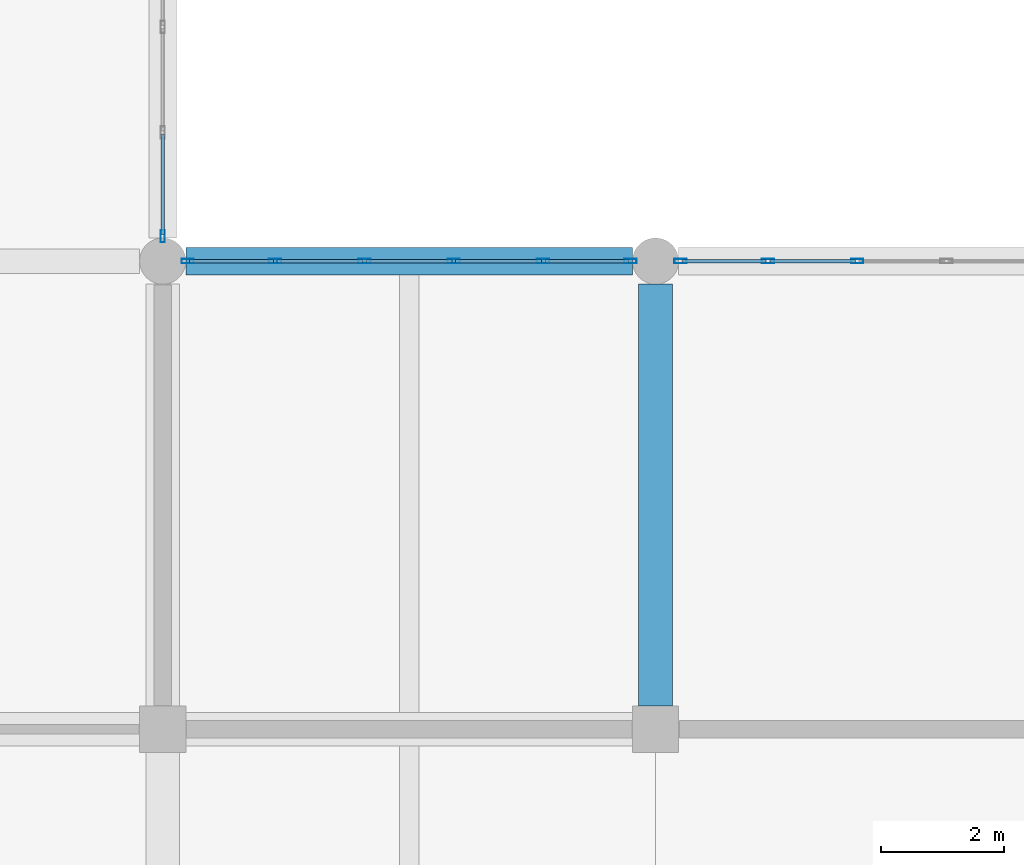
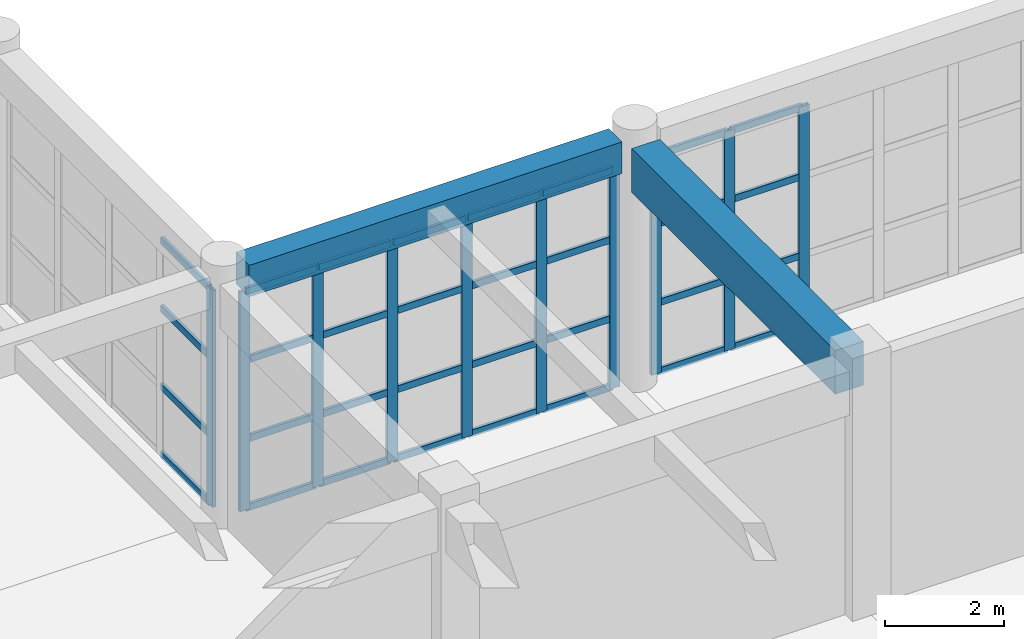
# One storey, part 15 of 95: 42 members, 2 beams, 3 elements without a shape of their own.
"""IFC4 building model written with IfcOpenShell, lengths in metres."""

import ifcopenshell
import ifcopenshell.guid

model = None  # the IFC model being written
_history = None  # IfcOwnerHistory: only IFC2X3 demands one
_inside = {}  # id of a spatial element -> (the spatial element, [elements in it])
_under = {}  # id of a project, library or spatial element -> (it, [spatial elements below it])
_declared = {}  # id of a project -> (the project, [libraries it declares])
_typed = {}  # id of a type object -> (the type object, [elements of that type])
_made_of = {}  # id of a material, layer set ... -> (it, [elements and type objects made of it])


def new_model(schema):
    """Start an empty IFC model of exactly this schema.

    Asked for "IFC4X3", IfcOpenShell would pick the latest addendum, in which some entities
    have other attributes; the version numbers below select the first issue.
    IFC2X3 requires an IfcOwnerHistory on every rooted entity: one is made here for all.
    """
    global model, _history
    if schema == "IFC4X3":
        model = ifcopenshell.file(schema_version=(4, 3, 0, 0))
    else:
        model = ifcopenshell.file(schema=schema)
    _inside.clear()
    _under.clear()
    _declared.clear()
    _typed.clear()
    _made_of.clear()
    _history = None
    if model.schema == "IFC2X3":
        org = make("IfcOrganization", Name="unknown")
        user = make(
            "IfcPersonAndOrganization",
            ThePerson=make("IfcPerson", FamilyName="unknown"),
            TheOrganization=org,
        )
        app = make(
            "IfcApplication",
            ApplicationDeveloper=org,
            Version="unknown",
            ApplicationFullName="unknown",
            ApplicationIdentifier="unknown",
        )
        _history = make(
            "IfcOwnerHistory",
            OwningUser=user,
            OwningApplication=app,
            ChangeAction="ADDED",
            CreationDate=0,
        )
    return model


def make(cls, **values):
    """One entity of the class cls with the attributes given. An attribute that is None is left unset."""
    return model.create_entity(
        cls, **{name: value for name, value in values.items() if value is not None}
    )


def rooted(cls, **values):
    """An entity with a GlobalId (a new one), such as an element, a storey or a relation."""
    return make(cls, GlobalId=ifcopenshell.guid.new(), OwnerHistory=_history, **values)


def si_unit(unit_type, name, prefix=None):
    """IfcSIUnit, for example si_unit("LENGTHUNIT", "METRE", prefix="MILLI")."""
    return make("IfcSIUnit", UnitType=unit_type, Prefix=prefix, Name=name)


def assignment(units):
    """IfcUnitAssignment: the units of a project."""
    return None if units is None else make("IfcUnitAssignment", Units=units)


def point(xyz):
    """IfcCartesianPoint."""
    return None if xyz is None else make("IfcCartesianPoint", Coordinates=xyz)


def direction(xyz):
    """IfcDirection."""
    return None if xyz is None else make("IfcDirection", DirectionRatios=xyz)


def frame(location, z_axis=None, x_axis=None):
    """IfcAxis2Placement3D, a coordinate frame: its origin and axes. An axis left out is left unset."""
    return make(
        "IfcAxis2Placement3D",
        Location=point(location),
        Axis=direction(z_axis),
        RefDirection=direction(x_axis),
    )


def frame_2d(location, x_axis=None):
    """IfcAxis2Placement2D, a coordinate frame in the plane: its origin and x axis."""
    return make(
        "IfcAxis2Placement2D", Location=point(location), RefDirection=direction(x_axis)
    )


def origin():
    """The frame at (0, 0, 0) with its axes left unset."""
    return frame((0.0, 0.0, 0.0))


def origin_2d():
    """The frame at (0, 0) in the plane with its x axis left unset."""
    return frame_2d((0.0, 0.0))


def place(relative_to, where):
    """IfcLocalPlacement: puts the frame where relative to a parent placement (None: the world)."""
    return make(
        "IfcLocalPlacement", PlacementRelTo=relative_to, RelativePlacement=where
    )


def context(
    kind, dimensions, precision=None, world=None, true_north=None, identifier=None
):
    """IfcGeometricRepresentationContext, for example the 3D "Model" context."""
    return make(
        "IfcGeometricRepresentationContext",
        ContextIdentifier=identifier,
        ContextType=kind,
        CoordinateSpaceDimension=dimensions,
        Precision=precision,
        WorldCoordinateSystem=world,
        TrueNorth=true_north,
    )


def subcontext(parent, identifier, kind, view, scale=None):
    """IfcGeometricRepresentationSubContext, for example "Body" below "Model"."""
    return make(
        "IfcGeometricRepresentationSubContext",
        ContextIdentifier=identifier,
        ContextType=kind,
        ParentContext=parent,
        TargetScale=scale,
        TargetView=view,
    )


def project(units=None, contexts=None):
    """IfcProject with its units and contexts."""
    return rooted(
        "IfcProject",
        Name="project",
        RepresentationContexts=contexts,
        UnitsInContext=assignment(units),
    )


def spatial(cls, under=None, at=None, **own):
    """A site, building, storey or space (cls), placed at a placement, below another one or the project."""
    s = rooted(cls, ObjectPlacement=at, **own)
    if under is not None:
        _under.setdefault(under.id(), (under, []))[1].append(s)
    return s


def profile(cls, at=None, kind="AREA", **sizes):
    """A parametric profile (cls). Its sizes go by their IFC names, for example OverallWidth=200.0."""
    return make(cls, ProfileType=kind, Position=at, **sizes)


def rectangle(**sizes):
    """IfcRectangleProfileDef."""
    return profile("IfcRectangleProfileDef", **sizes)


def hollow_rectangle(**sizes):
    """IfcRectangleHollowProfileDef."""
    return profile("IfcRectangleHollowProfileDef", **sizes)


def extrude(swept, where, along, depth):
    """IfcExtrudedAreaSolid: the profile swept, set in the frame where, extruded along a direction by depth."""
    return make(
        "IfcExtrudedAreaSolid",
        SweptArea=swept,
        Position=where,
        ExtrudedDirection=direction(along),
        Depth=depth,
    )


def shape(context_of_items, identifier, shape_type, items):
    """IfcShapeRepresentation: the items that make up one representation, for example the "Body"."""
    return make(
        "IfcShapeRepresentation",
        ContextOfItems=context_of_items,
        RepresentationIdentifier=identifier,
        RepresentationType=shape_type,
        Items=items,
    )


def material(Name=None, Category=None):
    """IfcMaterial."""
    return make("IfcMaterial", Name=Name, Category=Category)


def material_profile(
    of_material, cross_section, Name=None, Category=None, Priority=None
):
    """IfcMaterialProfile: a cross section and its material."""
    return make(
        "IfcMaterialProfile",
        Name=Name,
        Material=of_material,
        Profile=cross_section,
        Priority=Priority,
        Category=Category,
    )


def profile_set(profiles, Name=None, composite=None):
    """IfcMaterialProfileSet."""
    return make(
        "IfcMaterialProfileSet",
        Name=Name,
        MaterialProfiles=profiles,
        CompositeProfile=composite,
    )


def made_of(thing, what):
    """Note that an element or type object is made of a material, layer set ...; save() writes the relation."""
    if what is not None:
        _made_of.setdefault(what.id(), (what, []))[1].append(thing)
    return thing


def type_object(cls, material=None, **own):
    """A type object (cls), such as IfcWallType, which elements share."""
    return made_of(rooted(cls, **own), material)


def element(
    cls,
    number,
    at=None,
    inside=None,
    cuts=None,
    type_object=None,
    material=None,
    context=None,
    identifier="Body",
    shape_type=None,
    held_by="IfcProductDefinitionShape",
    body=None,
    shapes=None,
    **own,
):
    """One element of the class cls, such as IfcWall. Its Tag is "e" and its number.

    at: its placement. inside: the storey or other place that contains it. cuts: it is an
    opening in that element (IfcRelVoidsElement). A single representation is given by context,
    identifier, shape_type and body (its items); several are given by shapes. held_by: the class
    of the entity that holds the representations. save() writes the other relations.
    """
    e = rooted(cls, Tag="e%d" % number, ObjectPlacement=at, **own)
    if body is not None:
        shapes = [shape(context, identifier, shape_type, body)]
    if shapes is not None:
        e.Representation = make(held_by, Representations=shapes)
    if inside is not None:
        _inside.setdefault(inside.id(), (inside, []))[1].append(e)
    if cuts is not None:
        rooted(
            "IfcRelVoidsElement", RelatingBuildingElement=cuts, RelatedOpeningElement=e
        )
    if type_object is not None:
        _typed.setdefault(type_object.id(), (type_object, []))[1].append(e)
    return made_of(e, material)


def aggregate(whole, parts):
    """IfcRelAggregates: a whole, such as a stair, and the parts it consists of."""
    return rooted("IfcRelAggregates", RelatingObject=whole, RelatedObjects=parts)


def save(model, path):
    """Write the relations noted so far, then the file.

    IfcRelAggregates (storeys below a building ...), IfcRelContainedInSpatialStructure (elements
    in a storey), IfcRelDefinesByType, IfcRelAssociatesMaterial and IfcRelDeclares: one each for
    every whole, place, type object, material and project.
    """
    for whole, parts in _under.values():
        aggregate(whole, parts)
    for where, things in _inside.values():
        rooted(
            "IfcRelContainedInSpatialStructure",
            RelatedElements=things,
            RelatingStructure=where,
        )
    for kind, things in _typed.values():
        rooted("IfcRelDefinesByType", RelatedObjects=things, RelatingType=kind)
    for what, things in _made_of.values():
        rooted("IfcRelAssociatesMaterial", RelatedObjects=things, RelatingMaterial=what)
    for by, libraries in _declared.values():
        rooted("IfcRelDeclares", RelatingContext=by, RelatedDefinitions=libraries)
    model.write(path)


model = new_model("IFC4")

# Units and contexts
model_context = context("Model", 3, precision=1e-05, world=origin(), true_north=direction((0.0, 1.0)))
body_context = subcontext(model_context, "Body", "Model", "MODEL_VIEW")
ifc_project = project(units=[si_unit("LENGTHUNIT", "METRE"), si_unit("AREAUNIT", "SQUARE_METRE"), si_unit("VOLUMEUNIT", "CUBIC_METRE"), si_unit("PLANEANGLEUNIT", "RADIAN"), si_unit("MASSUNIT", "GRAM", prefix="KILO")], contexts=[model_context])

# Site, building, storey
site_placement = place(None, origin())
site = spatial("IfcSite", under=ifc_project, at=site_placement, CompositionType="ELEMENT")
building_placement = place(site_placement, origin())
building = spatial("IfcBuilding", under=site, at=building_placement, Name="Zantavel Square City Hall", CompositionType="ELEMENT")
storey_placement = place(building_placement, origin())
storey = spatial("IfcBuildingStorey", under=building, at=storey_placement, Name="L01", CompositionType="ELEMENT", Elevation=0.0)

# Beam
ifc_material_1 = material(Name="Concrete C40/50", Category="concrete")
ifc_material_profile_1 = material_profile(ifc_material_1, rectangle(XDim=0.550048828125, YDim=0.89990234375, at=origin_2d()), Name="RC 550x900")
ifc_profile_set_1 = profile_set([ifc_material_profile_1], Name="Concrete C40/50")
beam_type_1 = type_object("IfcBeamType", Name="Archive Heavy Girder RC 550x900 C40/50", PredefinedType="BEAM", material=ifc_profile_set_1)
beam_1_placement = place(storey_placement, frame((24.0, 30.77490234375, 4.6298828125), z_axis=(0.0, 1.0, 0.0), x_axis=(-1.0, 0.0, 0.0)))
element("IfcBeam", 1, at=beam_1_placement, inside=storey, type_object=beam_type_1, Name="L01 Beam BMY-L01-0240-0304", PredefinedType="BEAM", context=body_context, shape_type="SweptSolid", body=[
    extrude(rectangle(XDim=0.550048828125, YDim=0.89990234375, at=origin_2d()), origin(), (0.0, 0.0, 1.0), 6.85009765625),
])

# Curtain wall, member
ifc_material_2 = material(Name="Anodised aluminium 6063-T6", Category="aluminium")
curtain_wall_type_1 = type_object("IfcCurtainWallType", Name="Curtain Wall CRT 6850x4460", PredefinedType="USERDEFINED", material=ifc_material_2)
curtain_wall_1_placement = place(storey_placement, origin())
curtain_wall_1 = element("IfcCurtainWall", 2, at=curtain_wall_1_placement, inside=storey, type_object=curtain_wall_type_1, Name="L01 Glazed Curtain Wall CW-L01-009", ObjectType="GLAZED CURTAIN WALL", PredefinedType="USERDEFINED")
ifc_material_profile_2 = material_profile(ifc_material_2, hollow_rectangle(XDim=0.070068359375, YDim=0.199951171875, WallThickness=0.00439453125, at=origin_2d()), Name="ALU 70x200x4.5")
ifc_profile_set_2 = profile_set([ifc_material_profile_2], Name="Anodised aluminium 6063-T6")
member_type_1 = type_object("IfcMemberType", Name="CW Heavy Hall Mullion ALU 70x200x4.5", PredefinedType="MULLION", material=ifc_profile_set_2)
member_1_placement = place(storey_placement, frame((16.0, 38.405029296875, 0.0), z_axis=(0.0, 0.0, 1.0), x_axis=(1.0, 0.0, 0.0)))
member_1 = element("IfcMember", 3, at=member_1_placement, type_object=member_type_1, Name="CW-009 mullion 5", PredefinedType="MULLION", context=body_context, shape_type="SweptSolid", body=[
    extrude(hollow_rectangle(XDim=0.070068359375, YDim=0.199951171875, WallThickness=0.00439453125, at=origin_2d()), origin(), (0.0, 0.0, 1.0), 4.4599609375),
])

# Curtain wall, members
curtain_wall_type_2 = type_object("IfcCurtainWallType", Name="Curtain Wall CRT 7250x4510", PredefinedType="USERDEFINED", material=ifc_material_2)
curtain_wall_2_placement = place(storey_placement, origin())
curtain_wall_2 = element("IfcCurtainWall", 4, at=curtain_wall_2_placement, inside=storey, type_object=curtain_wall_type_2, Name="L01 Glazed Curtain Wall CW-L01-010", ObjectType="GLAZED CURTAIN WALL", PredefinedType="USERDEFINED")
member_2_placement = place(storey_placement, frame((16.405029296875, 38.0, 0.0), z_axis=(0.0, 0.0, 1.0), x_axis=(0.0, 1.0, 0.0)))
member_2 = element("IfcMember", 5, at=member_2_placement, type_object=member_type_1, Name="CW-010 mullion 1", PredefinedType="MULLION", context=body_context, shape_type="SweptSolid", body=[
    extrude(hollow_rectangle(XDim=0.070068359375, YDim=0.199951171875, WallThickness=0.00439453125, at=origin_2d()), origin(), (0.0, 0.0, 1.0), 4.510009765625),
])
member_3_placement = place(storey_placement, frame((17.824951171875, 38.0, 0.0), z_axis=(0.0, 0.0, 1.0), x_axis=(0.0, 1.0, 0.0)))
member_3 = element("IfcMember", 6, at=member_3_placement, type_object=member_type_1, Name="CW-010 mullion 2", PredefinedType="MULLION", context=body_context, shape_type="SweptSolid", body=[
    extrude(hollow_rectangle(XDim=0.070068359375, YDim=0.199951171875, WallThickness=0.00439453125, at=origin_2d()), origin(), (0.0, 0.0, 1.0), 4.510009765625),
])
member_4_placement = place(storey_placement, frame((19.27490234375, 38.0, 0.0), z_axis=(0.0, 0.0, 1.0), x_axis=(0.0, 1.0, 0.0)))
member_4 = element("IfcMember", 7, at=member_4_placement, type_object=member_type_1, Name="CW-010 mullion 3", PredefinedType="MULLION", context=body_context, shape_type="SweptSolid", body=[
    extrude(hollow_rectangle(XDim=0.070068359375, YDim=0.199951171875, WallThickness=0.00439453125, at=origin_2d()), origin(), (0.0, 0.0, 1.0), 4.510009765625),
])
member_5_placement = place(storey_placement, frame((20.72509765625, 38.0, 0.0), z_axis=(0.0, 0.0, 1.0), x_axis=(0.0, 1.0, 0.0)))
member_5 = element("IfcMember", 8, at=member_5_placement, type_object=member_type_1, Name="CW-010 mullion 4", PredefinedType="MULLION", context=body_context, shape_type="SweptSolid", body=[
    extrude(hollow_rectangle(XDim=0.070068359375, YDim=0.199951171875, WallThickness=0.00439453125, at=origin_2d()), origin(), (0.0, 0.0, 1.0), 4.510009765625),
])
member_6_placement = place(storey_placement, frame((22.175048828125, 38.0, 0.0), z_axis=(0.0, 0.0, 1.0), x_axis=(0.0, 1.0, 0.0)))
member_6 = element("IfcMember", 9, at=member_6_placement, type_object=member_type_1, Name="CW-010 mullion 5", PredefinedType="MULLION", context=body_context, shape_type="SweptSolid", body=[
    extrude(hollow_rectangle(XDim=0.070068359375, YDim=0.199951171875, WallThickness=0.00439453125, at=origin_2d()), origin(), (0.0, 0.0, 1.0), 4.510009765625),
])
member_7_placement = place(storey_placement, frame((23.594970703125, 38.0, 0.0), z_axis=(0.0, 0.0, 1.0), x_axis=(0.0, 1.0, 0.0)))
member_7 = element("IfcMember", 10, at=member_7_placement, type_object=member_type_1, Name="CW-010 mullion 6", PredefinedType="MULLION", context=body_context, shape_type="SweptSolid", body=[
    extrude(hollow_rectangle(XDim=0.070068359375, YDim=0.199951171875, WallThickness=0.00439453125, at=origin_2d()), origin(), (0.0, 0.0, 1.0), 4.510009765625),
])

curtain_wall_3_placement = place(storey_placement, origin())
curtain_wall_3 = element("IfcCurtainWall", 11, at=curtain_wall_3_placement, inside=storey, type_object=curtain_wall_type_2, Name="L01 Glazed Curtain Wall CW-L01-011", ObjectType="GLAZED CURTAIN WALL", PredefinedType="USERDEFINED")
member_8_placement = place(storey_placement, frame((24.405029296875, 38.0, 0.0), z_axis=(0.0, 0.0, 1.0), x_axis=(0.0, 1.0, 0.0)))
member_8 = element("IfcMember", 12, at=member_8_placement, type_object=member_type_1, Name="CW-011 mullion 1", PredefinedType="MULLION", context=body_context, shape_type="SweptSolid", body=[
    extrude(hollow_rectangle(XDim=0.070068359375, YDim=0.199951171875, WallThickness=0.00439453125, at=origin_2d()), origin(), (0.0, 0.0, 1.0), 4.510009765625),
])
member_9_placement = place(storey_placement, frame((25.824951171875, 38.0, 0.0), z_axis=(0.0, 0.0, 1.0), x_axis=(0.0, 1.0, 0.0)))
member_9 = element("IfcMember", 13, at=member_9_placement, type_object=member_type_1, Name="CW-011 mullion 2", PredefinedType="MULLION", context=body_context, shape_type="SweptSolid", body=[
    extrude(hollow_rectangle(XDim=0.070068359375, YDim=0.199951171875, WallThickness=0.00439453125, at=origin_2d()), origin(), (0.0, 0.0, 1.0), 4.510009765625),
])
member_10_placement = place(storey_placement, frame((27.27490234375, 38.0, 0.0), z_axis=(0.0, 0.0, 1.0), x_axis=(0.0, 1.0, 0.0)))
member_10 = element("IfcMember", 14, at=member_10_placement, type_object=member_type_1, Name="CW-011 mullion 3", PredefinedType="MULLION", context=body_context, shape_type="SweptSolid", body=[
    extrude(hollow_rectangle(XDim=0.070068359375, YDim=0.199951171875, WallThickness=0.00439453125, at=origin_2d()), origin(), (0.0, 0.0, 1.0), 4.510009765625),
])

# Member
ifc_material_profile_3 = material_profile(ifc_material_2, hollow_rectangle(XDim=0.06005859375, YDim=0.139892578125, WallThickness=0.00390625, at=origin_2d()), Name="ALU 60x140x4")
ifc_profile_set_3 = profile_set([ifc_material_profile_3], Name="Anodised aluminium 6063-T6")
member_type_2 = type_object("IfcMemberType", Name="CW Transom ALU 60x140x4", PredefinedType="USERDEFINED", material=ifc_profile_set_3)
member_11_placement = place(storey_placement, frame((16.0, 40.0576171875, 0.030029296875), z_axis=(0.0, -1.0, 0.0), x_axis=(1.0, 0.0, 0.0)))
member_11 = element("IfcMember", 15, at=member_11_placement, type_object=member_type_2, Name="CW-009 transom 4.1", ObjectType="TRANSOM", PredefinedType="USERDEFINED", context=body_context, shape_type="SweptSolid", body=[
    extrude(hollow_rectangle(XDim=0.06005859375, YDim=0.139892578125, WallThickness=0.00390625, at=origin_2d()), origin(), (0.0, 0.0, 1.0), 1.62255859375),
])

member_12_placement = place(storey_placement, frame((16.0, 40.0576171875, 1.427001953125), z_axis=(0.0, -1.0, 0.0), x_axis=(1.0, 0.0, 0.0)))
member_12 = element("IfcMember", 16, at=member_12_placement, type_object=member_type_2, Name="CW-009 transom 4.2", ObjectType="TRANSOM", PredefinedType="USERDEFINED", context=body_context, shape_type="SweptSolid", body=[
    extrude(hollow_rectangle(XDim=0.06005859375, YDim=0.139892578125, WallThickness=0.00390625, at=origin_2d()), origin(), (0.0, 0.0, 1.0), 1.62255859375),
])

member_13_placement = place(storey_placement, frame((16.0, 40.0576171875, 3.032958984375), z_axis=(0.0, -1.0, 0.0), x_axis=(1.0, 0.0, 0.0)))
member_13 = element("IfcMember", 17, at=member_13_placement, type_object=member_type_2, Name="CW-009 transom 4.3", ObjectType="TRANSOM", PredefinedType="USERDEFINED", context=body_context, shape_type="SweptSolid", body=[
    extrude(hollow_rectangle(XDim=0.06005859375, YDim=0.139892578125, WallThickness=0.00390625, at=origin_2d()), origin(), (0.0, 0.0, 1.0), 1.62255859375),
])

member_14_placement = place(storey_placement, frame((16.0, 40.0576171875, 4.429931640625), z_axis=(0.0, -1.0, 0.0), x_axis=(1.0, 0.0, 0.0)))
member_14 = element("IfcMember", 18, at=member_14_placement, type_object=member_type_2, Name="CW-009 transom 4.4", ObjectType="TRANSOM", PredefinedType="USERDEFINED", context=body_context, shape_type="SweptSolid", body=[
    extrude(hollow_rectangle(XDim=0.06005859375, YDim=0.139892578125, WallThickness=0.00390625, at=origin_2d()), origin(), (0.0, 0.0, 1.0), 1.62255859375),
])

aggregate(curtain_wall_1, [member_1, member_11, member_12, member_13, member_14])

member_15_placement = place(storey_placement, frame((16.43505859375, 38.0, 0.030029296875), z_axis=(1.0, 0.0, 0.0), x_axis=(0.0, 1.0, 0.0)))
member_15 = element("IfcMember", 19, at=member_15_placement, type_object=member_type_2, Name="CW-010 transom 1.1", ObjectType="TRANSOM", PredefinedType="USERDEFINED", context=body_context, shape_type="SweptSolid", body=[
    extrude(hollow_rectangle(XDim=0.06005859375, YDim=0.139892578125, WallThickness=0.00390625, at=origin_2d()), origin(), (0.0, 0.0, 1.0), 1.35986328125),
])

member_16_placement = place(storey_placement, frame((16.43505859375, 38.0, 1.443115234375), z_axis=(1.0, 0.0, 0.0), x_axis=(0.0, 1.0, 0.0)))
member_16 = element("IfcMember", 20, at=member_16_placement, type_object=member_type_2, Name="CW-010 transom 1.2", ObjectType="TRANSOM", PredefinedType="USERDEFINED", context=body_context, shape_type="SweptSolid", body=[
    extrude(hollow_rectangle(XDim=0.06005859375, YDim=0.139892578125, WallThickness=0.00390625, at=origin_2d()), origin(), (0.0, 0.0, 1.0), 1.35986328125),
])

member_17_placement = place(storey_placement, frame((16.43505859375, 38.0, 3.06689453125), z_axis=(1.0, 0.0, 0.0), x_axis=(0.0, 1.0, 0.0)))
member_17 = element("IfcMember", 21, at=member_17_placement, type_object=member_type_2, Name="CW-010 transom 1.3", ObjectType="TRANSOM", PredefinedType="USERDEFINED", context=body_context, shape_type="SweptSolid", body=[
    extrude(hollow_rectangle(XDim=0.06005859375, YDim=0.139892578125, WallThickness=0.00390625, at=origin_2d()), origin(), (0.0, 0.0, 1.0), 1.35986328125),
])

member_18_placement = place(storey_placement, frame((16.43505859375, 38.0, 4.47998046875), z_axis=(1.0, 0.0, 0.0), x_axis=(0.0, 1.0, 0.0)))
member_18 = element("IfcMember", 22, at=member_18_placement, type_object=member_type_2, Name="CW-010 transom 1.4", ObjectType="TRANSOM", PredefinedType="USERDEFINED", context=body_context, shape_type="SweptSolid", body=[
    extrude(hollow_rectangle(XDim=0.06005859375, YDim=0.139892578125, WallThickness=0.00390625, at=origin_2d()), origin(), (0.0, 0.0, 1.0), 1.35986328125),
])

member_19_placement = place(storey_placement, frame((17.85498046875, 38.0, 0.030029296875), z_axis=(1.0, 0.0, 0.0), x_axis=(0.0, 1.0, 0.0)))
member_19 = element("IfcMember", 23, at=member_19_placement, type_object=member_type_2, Name="CW-010 transom 2.1", ObjectType="TRANSOM", PredefinedType="USERDEFINED", context=body_context, shape_type="SweptSolid", body=[
    extrude(hollow_rectangle(XDim=0.06005859375, YDim=0.139892578125, WallThickness=0.00390625, at=origin_2d()), origin(), (0.0, 0.0, 1.0), 1.39013671875),
])

member_20_placement = place(storey_placement, frame((17.85498046875, 38.0, 1.443115234375), z_axis=(1.0, 0.0, 0.0), x_axis=(0.0, 1.0, 0.0)))
member_20 = element("IfcMember", 24, at=member_20_placement, type_object=member_type_2, Name="CW-010 transom 2.2", ObjectType="TRANSOM", PredefinedType="USERDEFINED", context=body_context, shape_type="SweptSolid", body=[
    extrude(hollow_rectangle(XDim=0.06005859375, YDim=0.139892578125, WallThickness=0.00390625, at=origin_2d()), origin(), (0.0, 0.0, 1.0), 1.39013671875),
])

member_21_placement = place(storey_placement, frame((17.85498046875, 38.0, 3.06689453125), z_axis=(1.0, 0.0, 0.0), x_axis=(0.0, 1.0, 0.0)))
member_21 = element("IfcMember", 25, at=member_21_placement, type_object=member_type_2, Name="CW-010 transom 2.3", ObjectType="TRANSOM", PredefinedType="USERDEFINED", context=body_context, shape_type="SweptSolid", body=[
    extrude(hollow_rectangle(XDim=0.06005859375, YDim=0.139892578125, WallThickness=0.00390625, at=origin_2d()), origin(), (0.0, 0.0, 1.0), 1.39013671875),
])

member_22_placement = place(storey_placement, frame((17.85498046875, 38.0, 4.47998046875), z_axis=(1.0, 0.0, 0.0), x_axis=(0.0, 1.0, 0.0)))
member_22 = element("IfcMember", 26, at=member_22_placement, type_object=member_type_2, Name="CW-010 transom 2.4", ObjectType="TRANSOM", PredefinedType="USERDEFINED", context=body_context, shape_type="SweptSolid", body=[
    extrude(hollow_rectangle(XDim=0.06005859375, YDim=0.139892578125, WallThickness=0.00390625, at=origin_2d()), origin(), (0.0, 0.0, 1.0), 1.39013671875),
])

member_23_placement = place(storey_placement, frame((19.304931640625, 38.0, 0.030029296875), z_axis=(1.0, 0.0, 0.0), x_axis=(0.0, 1.0, 0.0)))
member_23 = element("IfcMember", 27, at=member_23_placement, type_object=member_type_2, Name="CW-010 transom 3.1", ObjectType="TRANSOM", PredefinedType="USERDEFINED", context=body_context, shape_type="SweptSolid", body=[
    extrude(hollow_rectangle(XDim=0.06005859375, YDim=0.139892578125, WallThickness=0.00390625, at=origin_2d()), origin(), (0.0, 0.0, 1.0), 1.39013671875),
])

member_24_placement = place(storey_placement, frame((19.304931640625, 38.0, 1.443115234375), z_axis=(1.0, 0.0, 0.0), x_axis=(0.0, 1.0, 0.0)))
member_24 = element("IfcMember", 28, at=member_24_placement, type_object=member_type_2, Name="CW-010 transom 3.2", ObjectType="TRANSOM", PredefinedType="USERDEFINED", context=body_context, shape_type="SweptSolid", body=[
    extrude(hollow_rectangle(XDim=0.06005859375, YDim=0.139892578125, WallThickness=0.00390625, at=origin_2d()), origin(), (0.0, 0.0, 1.0), 1.39013671875),
])

member_25_placement = place(storey_placement, frame((19.304931640625, 38.0, 3.06689453125), z_axis=(1.0, 0.0, 0.0), x_axis=(0.0, 1.0, 0.0)))
member_25 = element("IfcMember", 29, at=member_25_placement, type_object=member_type_2, Name="CW-010 transom 3.3", ObjectType="TRANSOM", PredefinedType="USERDEFINED", context=body_context, shape_type="SweptSolid", body=[
    extrude(hollow_rectangle(XDim=0.06005859375, YDim=0.139892578125, WallThickness=0.00390625, at=origin_2d()), origin(), (0.0, 0.0, 1.0), 1.39013671875),
])

member_26_placement = place(storey_placement, frame((19.304931640625, 38.0, 4.47998046875), z_axis=(1.0, 0.0, 0.0), x_axis=(0.0, 1.0, 0.0)))
member_26 = element("IfcMember", 30, at=member_26_placement, type_object=member_type_2, Name="CW-010 transom 3.4", ObjectType="TRANSOM", PredefinedType="USERDEFINED", context=body_context, shape_type="SweptSolid", body=[
    extrude(hollow_rectangle(XDim=0.06005859375, YDim=0.139892578125, WallThickness=0.00390625, at=origin_2d()), origin(), (0.0, 0.0, 1.0), 1.39013671875),
])

member_27_placement = place(storey_placement, frame((20.7548828125, 38.0, 0.030029296875), z_axis=(1.0, 0.0, 0.0), x_axis=(0.0, 1.0, 0.0)))
member_27 = element("IfcMember", 31, at=member_27_placement, type_object=member_type_2, Name="CW-010 transom 4.1", ObjectType="TRANSOM", PredefinedType="USERDEFINED", context=body_context, shape_type="SweptSolid", body=[
    extrude(hollow_rectangle(XDim=0.06005859375, YDim=0.139892578125, WallThickness=0.00390625, at=origin_2d()), origin(), (0.0, 0.0, 1.0), 1.39013671875),
])

member_28_placement = place(storey_placement, frame((20.7548828125, 38.0, 1.443115234375), z_axis=(1.0, 0.0, 0.0), x_axis=(0.0, 1.0, 0.0)))
member_28 = element("IfcMember", 32, at=member_28_placement, type_object=member_type_2, Name="CW-010 transom 4.2", ObjectType="TRANSOM", PredefinedType="USERDEFINED", context=body_context, shape_type="SweptSolid", body=[
    extrude(hollow_rectangle(XDim=0.06005859375, YDim=0.139892578125, WallThickness=0.00390625, at=origin_2d()), origin(), (0.0, 0.0, 1.0), 1.39013671875),
])

member_29_placement = place(storey_placement, frame((20.7548828125, 38.0, 3.06689453125), z_axis=(1.0, 0.0, 0.0), x_axis=(0.0, 1.0, 0.0)))
member_29 = element("IfcMember", 33, at=member_29_placement, type_object=member_type_2, Name="CW-010 transom 4.3", ObjectType="TRANSOM", PredefinedType="USERDEFINED", context=body_context, shape_type="SweptSolid", body=[
    extrude(hollow_rectangle(XDim=0.06005859375, YDim=0.139892578125, WallThickness=0.00390625, at=origin_2d()), origin(), (0.0, 0.0, 1.0), 1.39013671875),
])

member_30_placement = place(storey_placement, frame((20.7548828125, 38.0, 4.47998046875), z_axis=(1.0, 0.0, 0.0), x_axis=(0.0, 1.0, 0.0)))
member_30 = element("IfcMember", 34, at=member_30_placement, type_object=member_type_2, Name="CW-010 transom 4.4", ObjectType="TRANSOM", PredefinedType="USERDEFINED", context=body_context, shape_type="SweptSolid", body=[
    extrude(hollow_rectangle(XDim=0.06005859375, YDim=0.139892578125, WallThickness=0.00390625, at=origin_2d()), origin(), (0.0, 0.0, 1.0), 1.39013671875),
])

member_31_placement = place(storey_placement, frame((22.205078125, 38.0, 0.030029296875), z_axis=(1.0, 0.0, 0.0), x_axis=(0.0, 1.0, 0.0)))
member_31 = element("IfcMember", 35, at=member_31_placement, type_object=member_type_2, Name="CW-010 transom 5.1", ObjectType="TRANSOM", PredefinedType="USERDEFINED", context=body_context, shape_type="SweptSolid", body=[
    extrude(hollow_rectangle(XDim=0.06005859375, YDim=0.139892578125, WallThickness=0.00390625, at=origin_2d()), origin(), (0.0, 0.0, 1.0), 1.35986328125),
])

member_32_placement = place(storey_placement, frame((22.205078125, 38.0, 1.443115234375), z_axis=(1.0, 0.0, 0.0), x_axis=(0.0, 1.0, 0.0)))
member_32 = element("IfcMember", 36, at=member_32_placement, type_object=member_type_2, Name="CW-010 transom 5.2", ObjectType="TRANSOM", PredefinedType="USERDEFINED", context=body_context, shape_type="SweptSolid", body=[
    extrude(hollow_rectangle(XDim=0.06005859375, YDim=0.139892578125, WallThickness=0.00390625, at=origin_2d()), origin(), (0.0, 0.0, 1.0), 1.35986328125),
])

member_33_placement = place(storey_placement, frame((22.205078125, 38.0, 3.06689453125), z_axis=(1.0, 0.0, 0.0), x_axis=(0.0, 1.0, 0.0)))
member_33 = element("IfcMember", 37, at=member_33_placement, type_object=member_type_2, Name="CW-010 transom 5.3", ObjectType="TRANSOM", PredefinedType="USERDEFINED", context=body_context, shape_type="SweptSolid", body=[
    extrude(hollow_rectangle(XDim=0.06005859375, YDim=0.139892578125, WallThickness=0.00390625, at=origin_2d()), origin(), (0.0, 0.0, 1.0), 1.35986328125),
])

member_34_placement = place(storey_placement, frame((22.205078125, 38.0, 4.47998046875), z_axis=(1.0, 0.0, 0.0), x_axis=(0.0, 1.0, 0.0)))
member_34 = element("IfcMember", 38, at=member_34_placement, type_object=member_type_2, Name="CW-010 transom 5.4", ObjectType="TRANSOM", PredefinedType="USERDEFINED", context=body_context, shape_type="SweptSolid", body=[
    extrude(hollow_rectangle(XDim=0.06005859375, YDim=0.139892578125, WallThickness=0.00390625, at=origin_2d()), origin(), (0.0, 0.0, 1.0), 1.35986328125),
])

aggregate(curtain_wall_2, [member_2, member_3, member_4, member_5, member_6, member_7, member_15, member_16, member_17, member_18, member_19, member_20, member_21, member_22, member_23, member_24, member_25, member_26, member_27, member_28, member_29, member_30, member_31, member_32, member_33, member_34])

member_35_placement = place(storey_placement, frame((24.43505859375, 38.0, 0.030029296875), z_axis=(1.0, 0.0, 0.0), x_axis=(0.0, 1.0, 0.0)))
member_35 = element("IfcMember", 39, at=member_35_placement, type_object=member_type_2, Name="CW-011 transom 1.1", ObjectType="TRANSOM", PredefinedType="USERDEFINED", context=body_context, shape_type="SweptSolid", body=[
    extrude(hollow_rectangle(XDim=0.06005859375, YDim=0.139892578125, WallThickness=0.00390625, at=origin_2d()), origin(), (0.0, 0.0, 1.0), 1.35986328125),
])

member_36_placement = place(storey_placement, frame((24.43505859375, 38.0, 1.443115234375), z_axis=(1.0, 0.0, 0.0), x_axis=(0.0, 1.0, 0.0)))
member_36 = element("IfcMember", 40, at=member_36_placement, type_object=member_type_2, Name="CW-011 transom 1.2", ObjectType="TRANSOM", PredefinedType="USERDEFINED", context=body_context, shape_type="SweptSolid", body=[
    extrude(hollow_rectangle(XDim=0.06005859375, YDim=0.139892578125, WallThickness=0.00390625, at=origin_2d()), origin(), (0.0, 0.0, 1.0), 1.35986328125),
])

member_37_placement = place(storey_placement, frame((24.43505859375, 38.0, 3.06689453125), z_axis=(1.0, 0.0, 0.0), x_axis=(0.0, 1.0, 0.0)))
member_37 = element("IfcMember", 41, at=member_37_placement, type_object=member_type_2, Name="CW-011 transom 1.3", ObjectType="TRANSOM", PredefinedType="USERDEFINED", context=body_context, shape_type="SweptSolid", body=[
    extrude(hollow_rectangle(XDim=0.06005859375, YDim=0.139892578125, WallThickness=0.00390625, at=origin_2d()), origin(), (0.0, 0.0, 1.0), 1.35986328125),
])

member_38_placement = place(storey_placement, frame((24.43505859375, 38.0, 4.47998046875), z_axis=(1.0, 0.0, 0.0), x_axis=(0.0, 1.0, 0.0)))
member_38 = element("IfcMember", 42, at=member_38_placement, type_object=member_type_2, Name="CW-011 transom 1.4", ObjectType="TRANSOM", PredefinedType="USERDEFINED", context=body_context, shape_type="SweptSolid", body=[
    extrude(hollow_rectangle(XDim=0.06005859375, YDim=0.139892578125, WallThickness=0.00390625, at=origin_2d()), origin(), (0.0, 0.0, 1.0), 1.35986328125),
])

member_39_placement = place(storey_placement, frame((25.85498046875, 38.0, 0.030029296875), z_axis=(1.0, 0.0, 0.0), x_axis=(0.0, 1.0, 0.0)))
member_39 = element("IfcMember", 43, at=member_39_placement, type_object=member_type_2, Name="CW-011 transom 2.1", ObjectType="TRANSOM", PredefinedType="USERDEFINED", context=body_context, shape_type="SweptSolid", body=[
    extrude(hollow_rectangle(XDim=0.06005859375, YDim=0.139892578125, WallThickness=0.00390625, at=origin_2d()), origin(), (0.0, 0.0, 1.0), 1.39013671875),
])

member_40_placement = place(storey_placement, frame((25.85498046875, 38.0, 1.443115234375), z_axis=(1.0, 0.0, 0.0), x_axis=(0.0, 1.0, 0.0)))
member_40 = element("IfcMember", 44, at=member_40_placement, type_object=member_type_2, Name="CW-011 transom 2.2", ObjectType="TRANSOM", PredefinedType="USERDEFINED", context=body_context, shape_type="SweptSolid", body=[
    extrude(hollow_rectangle(XDim=0.06005859375, YDim=0.139892578125, WallThickness=0.00390625, at=origin_2d()), origin(), (0.0, 0.0, 1.0), 1.39013671875),
])

member_41_placement = place(storey_placement, frame((25.85498046875, 38.0, 3.06689453125), z_axis=(1.0, 0.0, 0.0), x_axis=(0.0, 1.0, 0.0)))
member_41 = element("IfcMember", 45, at=member_41_placement, type_object=member_type_2, Name="CW-011 transom 2.3", ObjectType="TRANSOM", PredefinedType="USERDEFINED", context=body_context, shape_type="SweptSolid", body=[
    extrude(hollow_rectangle(XDim=0.06005859375, YDim=0.139892578125, WallThickness=0.00390625, at=origin_2d()), origin(), (0.0, 0.0, 1.0), 1.39013671875),
])

member_42_placement = place(storey_placement, frame((25.85498046875, 38.0, 4.47998046875), z_axis=(1.0, 0.0, 0.0), x_axis=(0.0, 1.0, 0.0)))
member_42 = element("IfcMember", 46, at=member_42_placement, type_object=member_type_2, Name="CW-011 transom 2.4", ObjectType="TRANSOM", PredefinedType="USERDEFINED", context=body_context, shape_type="SweptSolid", body=[
    extrude(hollow_rectangle(XDim=0.06005859375, YDim=0.139892578125, WallThickness=0.00390625, at=origin_2d()), origin(), (0.0, 0.0, 1.0), 1.39013671875),
])

aggregate(curtain_wall_3, [member_8, member_9, member_10, member_35, member_36, member_37, member_38, member_39, member_40, member_41, member_42])

# Beam
ifc_material_3 = material(Name="Concrete C35/45", Category="concrete")
ifc_material_profile_4 = material_profile(ifc_material_3, rectangle(XDim=0.449951171875, YDim=0.64990234375, at=origin_2d()), Name="RC 450x650")
ifc_profile_set_4 = profile_set([ifc_material_profile_4], Name="Concrete C35/45")
beam_type_2 = type_object("IfcBeamType", Name="Courtyard Cloister Girder RC 450x650 C35/45", PredefinedType="BEAM", material=ifc_profile_set_4)
beam_2_placement = place(storey_placement, frame((16.375, 38.0, 4.8349609375), z_axis=(1.0, 0.0, 0.0), x_axis=(0.0, 1.0, 0.0)))
element("IfcBeam", 47, at=beam_2_placement, inside=storey, type_object=beam_type_2, Name="L01 Girder BMX-L01-0160-0380", PredefinedType="BEAM", context=body_context, shape_type="SweptSolid", body=[
    extrude(rectangle(XDim=0.449951171875, YDim=0.64990234375, at=origin_2d()), origin(), (0.0, 0.0, 1.0), 7.25),
])

save(model, "model.ifc")
